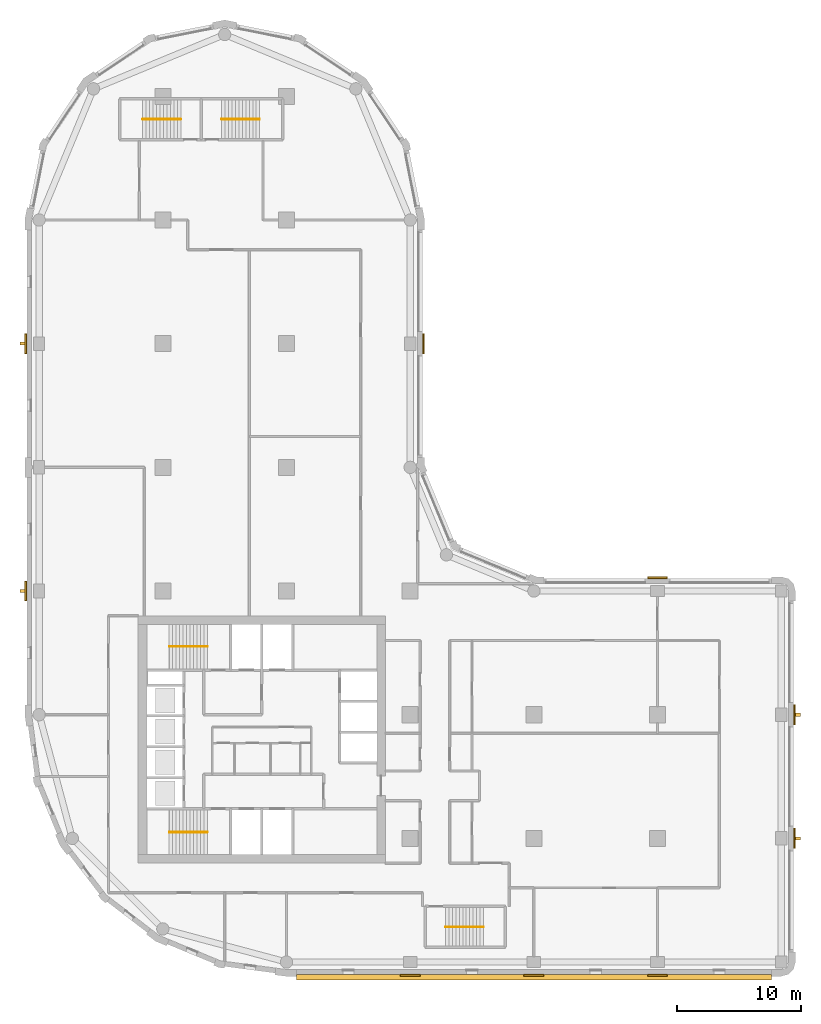
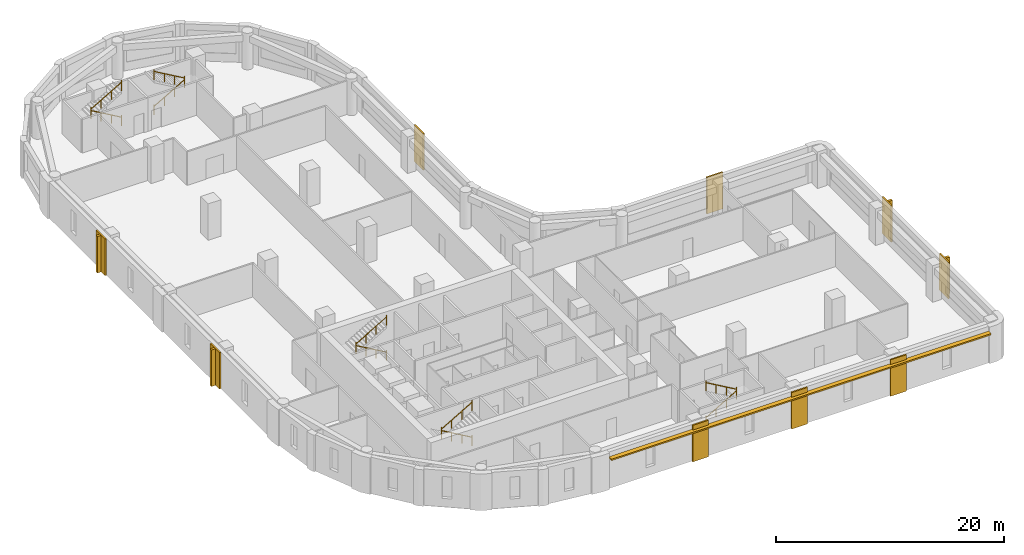
# One storey, part 8 of 9: 10 railings, 9 coverings, 5 shading devices.
"""IFC4 building model written with IfcOpenShell, lengths in metres."""

from ifc_helpers import new_model, si_unit, direction, frame, origin, origin_2d, place, context, subcontext, project, spatial, polyline, rectangle, circle, outline, extrude, material, layer, layer_set, type_object, element, save


model = new_model("IFC4")

# Units and contexts
model_context = context("Model", 3, precision=1e-05, world=origin(), true_north=direction((0.0, 1.0)))
body_context = subcontext(model_context, "Body", "Model", "MODEL_VIEW")
ifc_project = project(units=[si_unit("LENGTHUNIT", "METRE"), si_unit("AREAUNIT", "SQUARE_METRE"), si_unit("VOLUMEUNIT", "CUBIC_METRE"), si_unit("PLANEANGLEUNIT", "RADIAN"), si_unit("MASSUNIT", "GRAM", prefix="KILO")], contexts=[model_context])

# Site, building, storey
site_placement = place(None, origin())
site = spatial("IfcSite", under=ifc_project, at=site_placement, CompositionType="ELEMENT")
building_placement = place(site_placement, origin())
building = spatial("IfcBuilding", under=site, at=building_placement, Name="Qaws Garden Tower", CompositionType="ELEMENT")
storey_placement = place(building_placement, frame((0.0, 0.0, 166.800048828125)))
storey = spatial("IfcBuildingStorey", under=building, at=storey_placement, Name="L40", CompositionType="ELEMENT", Elevation=166.800048828125)

# Shading devices
ifc_material_1 = material(Name="Clay facing brick masonry", Category="masonry")
ifc_layer_1 = layer(ifc_material_1, 0.14990234375)
ifc_layer_set_1 = layer_set([ifc_layer_1], Name="Clay facing brick masonry")
shading_device_type_1 = type_object("IfcShadingDeviceType", Name="Brick sunshade band 450 x 150", PredefinedType="JALOUSIE", material=ifc_layer_set_1)
shading_device_placement = place(storey_placement, frame((0.0, 0.0, 3.25)))
element("IfcShadingDevice", 1, at=shading_device_placement, inside=storey, type_object=shading_device_type_1, Name="SUNSHADE 00", PredefinedType="JALOUSIE", context=body_context, shape_type="SweptSolid", body=[
    extrude(outline(polyline([(20.800048828125, -1.0), (20.800048828125, -1.449951171875), (59.199951171875, -1.449951171875), (59.199951171875, -1.0), (50.800048828125, -1.0), (50.800048828125, -1.14990234375), (49.199951171875, -1.14990234375), (49.199951171875, -1.0), (40.800048828125, -1.0), (40.800048828125, -1.14990234375), (39.199951171875, -1.14990234375), (39.199951171875, -1.0), (30.800048828125, -1.0), (30.800048828125, -1.14990234375), (29.199951171875, -1.14990234375), (29.199951171875, -1.0), (20.800048828125, -1.0)])), origin(), (0.0, 0.0, 1.0), 0.14990234375),
])
ifc_material_2 = material(Name="Clay facing brick masonry", Category="masonry")
ifc_layer_2 = layer(ifc_material_2, 0.25)
ifc_layer_set_2 = layer_set([ifc_layer_2], Name="Clay facing brick masonry")
shading_device_type_2 = type_object("IfcShadingDeviceType", Name="Brick-faced fin 250 x 400", PredefinedType="USERDEFINED", material=ifc_layer_set_2)
for number, where, z_axis, x_axis, name in (
    (2, (61.35009765625, 10.0, 0.0), (0.0, 0.0, 1.0), (0.0, 1.0, 0.0), "FIN 05"),
    (3, (61.35009765625, 20.0, 0.0), (0.0, 0.0, 1.0), (0.0, 1.0, 0.0), "FIN 06"),
    (4, (-1.35009765625, 50.0, 0.0), (0.0, 0.0, 1.0), (0.0, -1.0, 0.0), "FIN 22"),
    (5, (-1.35009765625, 30.0, 0.0), (0.0, 0.0, 1.0), (0.0, -1.0, 0.0), "FIN 24"),
):
    element("IfcShadingDevice", number, at=place(storey_placement, frame(where, z_axis=z_axis, x_axis=x_axis)), inside=storey, type_object=shading_device_type_2, Name=name, ObjectType="FIN", PredefinedType="USERDEFINED", context=body_context, shape_type="SweptSolid", body=[
        extrude(rectangle(XDim=0.25, YDim=0.39990234375, at=origin_2d()), origin(), (0.0, 0.0, 1.0), 3.89990234375),
    ])

# Coverings
ifc_material_3 = material(Name="Buff clay facing brick masonry", Category="masonry")
ifc_layer_3 = layer(ifc_material_3, 0.14990234375)
ifc_layer_set_3 = layer_set([ifc_layer_3], Name="Buff clay facing brick masonry")
covering_type = type_object("IfcCoveringType", Name="Buff brick pilaster facing 150 x 1600", PredefinedType="CLADDING", material=ifc_layer_set_3)
placement = place(storey_placement, origin())
element("IfcCovering", 6, at=placement, inside=storey, type_object=covering_type, Name="E-L40-pier-01", PredefinedType="CLADDING", context=body_context, shape_type="SweptSolid", body=[
    extrude(outline(polyline([(29.199951171875, -1.0), (30.800048828125, -1.0), (30.800048828125, -1.14990234375), (29.199951171875, -1.14990234375), (29.199951171875, -1.0)])), origin(), (0.0, 0.0, 1.0), 3.89990234375),
])
element("IfcCovering", 7, at=placement, inside=storey, type_object=covering_type, Name="E-L40-pier-02", PredefinedType="CLADDING", context=body_context, shape_type="SweptSolid", body=[
    extrude(outline(polyline([(39.199951171875, -1.0), (40.800048828125, -1.0), (40.800048828125, -1.14990234375), (39.199951171875, -1.14990234375), (39.199951171875, -1.0)])), origin(), (0.0, 0.0, 1.0), 3.89990234375),
])
element("IfcCovering", 8, at=placement, inside=storey, type_object=covering_type, Name="E-L40-pier-03", PredefinedType="CLADDING", context=body_context, shape_type="SweptSolid", body=[
    extrude(outline(polyline([(49.199951171875, -1.0), (50.800048828125, -1.0), (50.800048828125, -1.14990234375), (49.199951171875, -1.14990234375), (49.199951171875, -1.0)])), origin(), (0.0, 0.0, 1.0), 3.89990234375),
])
element("IfcCovering", 9, at=placement, inside=storey, type_object=covering_type, Name="E-L40-pier-05", PredefinedType="CLADDING", context=body_context, shape_type="SweptSolid", body=[
    extrude(outline(polyline([(61.0, 9.199951171875), (61.0, 10.800048828125), (61.14990234375, 10.800048828125), (61.14990234375, 9.199951171875), (61.0, 9.199951171875)])), origin(), (0.0, 0.0, 1.0), 3.89990234375),
])
element("IfcCovering", 10, at=placement, inside=storey, type_object=covering_type, Name="E-L40-pier-06", PredefinedType="CLADDING", context=body_context, shape_type="SweptSolid", body=[
    extrude(outline(polyline([(61.0, 19.199951171875), (61.0, 20.800048828125), (61.14990234375, 20.800048828125), (61.14990234375, 19.199951171875), (61.0, 19.199951171875)])), origin(), (0.0, 0.0, 1.0), 3.89990234375),
])
element("IfcCovering", 11, at=placement, inside=storey, type_object=covering_type, Name="E-L40-pier-08", PredefinedType="CLADDING", context=body_context, shape_type="SweptSolid", body=[
    extrude(outline(polyline([(50.800048828125, 31.0), (49.199951171875, 31.0), (49.199951171875, 31.14990234375), (50.800048828125, 31.14990234375), (50.800048828125, 31.0)])), origin(), (0.0, 0.0, 1.0), 3.89990234375),
])
element("IfcCovering", 12, at=placement, inside=storey, type_object=covering_type, Name="E-L40-pier-12", PredefinedType="CLADDING", context=body_context, shape_type="SweptSolid", body=[
    extrude(outline(polyline([(31.0, 49.199951171875), (31.0, 50.800048828125), (31.14990234375, 50.800048828125), (31.14990234375, 49.199951171875), (31.0, 49.199951171875)])), origin(), (0.0, 0.0, 1.0), 3.89990234375),
])
element("IfcCovering", 13, at=placement, inside=storey, type_object=covering_type, Name="E-L40-pier-22", PredefinedType="CLADDING", context=body_context, shape_type="SweptSolid", body=[
    extrude(outline(polyline([(-1.0, 50.800048828125), (-1.0, 49.199951171875), (-1.14990234375, 49.199951171875), (-1.14990234375, 50.800048828125), (-1.0, 50.800048828125)])), origin(), (0.0, 0.0, 1.0), 3.89990234375),
])
element("IfcCovering", 14, at=placement, inside=storey, type_object=covering_type, Name="E-L40-pier-24", PredefinedType="CLADDING", context=body_context, shape_type="SweptSolid", body=[
    extrude(outline(polyline([(-1.0, 30.800048828125), (-1.0, 29.199951171875), (-1.14990234375, 29.199951171875), (-1.14990234375, 30.800048828125), (-1.0, 30.800048828125)])), origin(), (0.0, 0.0, 1.0), 3.89990234375),
])

# Railings
ifc_material_4 = material(Name="Steel S355", Category="steel")
railing_type = type_object("IfcRailingType", Name="Stair handrail 900", PredefinedType="HANDRAIL", material=ifc_material_4)
railing_1_placement = place(storey_placement, frame((13.60009765625, 10.5, 0.162353515625)))
element("IfcRailing", 15, at=railing_1_placement, inside=storey, type_object=railing_type, Name="Stair 1 handrail", PredefinedType="HANDRAIL", context=body_context, shape_type="SweptSolid", body=[
    extrude(circle(Radius=0.02392578125, at=origin_2d()), frame((0.0, 0.0, 0.8759765625), z_axis=(-0.864890721111, 0.0, 0.501960198159), x_axis=(0.0, -1.0, 0.0)), (0.0, 0.0, 1.0), 3.561279296875),
    extrude(circle(Radius=0.02099609375, at=origin_2d()), origin(), (0.0, 0.0, 1.0), 1.06201171875),
    extrude(circle(Radius=0.02099609375, at=origin_2d()), frame((-1.026611328125, 0.0, 0.595947265625)), (0.0, 0.0, 1.0), 0.851806640625),
    extrude(circle(Radius=0.02099609375, at=origin_2d()), frame((-2.053466796875, 0.0, 1.191650390625)), (0.0, 0.0, 1.0), 0.851806640625),
    extrude(circle(Radius=0.02099609375, at=origin_2d()), frame((-3.080078125, 0.0, 1.78759765625)), (0.0, 0.0, 1.0), 1.06201171875),
])
railing_2_placement = place(storey_placement, frame((10.52001953125, 10.5, 2.112548828125)))
element("IfcRailing", 16, at=railing_2_placement, inside=storey, type_object=railing_type, Name="Stair 1 handrail", PredefinedType="HANDRAIL", context=body_context, shape_type="SweptSolid", body=[
    extrude(circle(Radius=0.02392578125, at=origin_2d()), frame((0.0, 0.0, 0.8759765625), z_axis=(0.864920483161, 0.0, 0.501908913857), x_axis=(0.0, 1.0, 0.0)), (0.0, 0.0, 1.0), 3.56103515625),
    extrude(circle(Radius=0.02099609375, at=origin_2d()), origin(), (0.0, 0.0, 1.0), 1.06201171875),
    extrude(circle(Radius=0.02099609375, at=origin_2d()), frame((1.026611328125, 0.0, 0.595703125)), (0.0, 0.0, 1.0), 0.851806640625),
    extrude(circle(Radius=0.02099609375, at=origin_2d()), frame((2.053466796875, 0.0, 1.191650390625)), (0.0, 0.0, 1.0), 0.851806640625),
    extrude(circle(Radius=0.02099609375, at=origin_2d()), frame((3.080078125, 0.0, 1.787353515625)), (0.0, 0.0, 1.0), 1.06201171875),
])
railing_3_placement = place(storey_placement, frame((13.60009765625, 25.5, 0.162353515625)))
element("IfcRailing", 17, at=railing_3_placement, inside=storey, type_object=railing_type, Name="Stair 4 handrail", PredefinedType="HANDRAIL", context=body_context, shape_type="SweptSolid", body=[
    extrude(circle(Radius=0.02392578125, at=origin_2d()), frame((0.0, 0.0, 0.8759765625), z_axis=(-0.864890721111, 0.0, 0.501960198159), x_axis=(0.0, -1.0, 0.0)), (0.0, 0.0, 1.0), 3.561279296875),
    extrude(circle(Radius=0.02099609375, at=origin_2d()), origin(), (0.0, 0.0, 1.0), 1.06201171875),
    extrude(circle(Radius=0.02099609375, at=origin_2d()), frame((-1.026611328125, 0.0, 0.595947265625)), (0.0, 0.0, 1.0), 0.851806640625),
    extrude(circle(Radius=0.02099609375, at=origin_2d()), frame((-2.053466796875, 0.0, 1.191650390625)), (0.0, 0.0, 1.0), 0.851806640625),
    extrude(circle(Radius=0.02099609375, at=origin_2d()), frame((-3.080078125, 0.0, 1.78759765625)), (0.0, 0.0, 1.0), 1.06201171875),
])
railing_4_placement = place(storey_placement, frame((10.52001953125, 25.5, 2.112548828125)))
element("IfcRailing", 18, at=railing_4_placement, inside=storey, type_object=railing_type, Name="Stair 4 handrail", PredefinedType="HANDRAIL", context=body_context, shape_type="SweptSolid", body=[
    extrude(circle(Radius=0.02392578125, at=origin_2d()), frame((0.0, 0.0, 0.8759765625), z_axis=(0.864920483161, 0.0, 0.501908913857), x_axis=(0.0, 1.0, 0.0)), (0.0, 0.0, 1.0), 3.56103515625),
    extrude(circle(Radius=0.02099609375, at=origin_2d()), origin(), (0.0, 0.0, 1.0), 1.06201171875),
    extrude(circle(Radius=0.02099609375, at=origin_2d()), frame((1.026611328125, 0.0, 0.595703125)), (0.0, 0.0, 1.0), 0.851806640625),
    extrude(circle(Radius=0.02099609375, at=origin_2d()), frame((2.053466796875, 0.0, 1.191650390625)), (0.0, 0.0, 1.0), 0.851806640625),
    extrude(circle(Radius=0.02099609375, at=origin_2d()), frame((3.080078125, 0.0, 1.787353515625)), (0.0, 0.0, 1.0), 1.06201171875),
])
railing_5_placement = place(storey_placement, frame((32.85009765625, 2.85009765625, 0.162353515625)))
element("IfcRailing", 19, at=railing_5_placement, inside=storey, type_object=railing_type, Name="Stair 5 handrail", PredefinedType="HANDRAIL", context=body_context, shape_type="SweptSolid", body=[
    extrude(circle(Radius=0.02392578125, at=origin_2d()), frame((0.0, 0.0, 0.8759765625), z_axis=(0.864873446163, 0.0, 0.501989962173), x_axis=(0.0, 1.0, 0.0)), (0.0, 0.0, 1.0), 3.56103515625),
    extrude(circle(Radius=0.02099609375, at=origin_2d()), origin(), (0.0, 0.0, 1.0), 1.06201171875),
    extrude(circle(Radius=0.02099609375, at=origin_2d()), frame((1.026611328125, 0.0, 0.595947265625)), (0.0, 0.0, 1.0), 0.851806640625),
    extrude(circle(Radius=0.02099609375, at=origin_2d()), frame((2.05322265625, 0.0, 1.191650390625)), (0.0, 0.0, 1.0), 0.851806640625),
    extrude(circle(Radius=0.02099609375, at=origin_2d()), frame((3.079833984375, 0.0, 1.78759765625)), (0.0, 0.0, 1.0), 1.06201171875),
])
railing_6_placement = place(storey_placement, frame((35.929931640625, 2.85009765625, 2.112548828125)))
element("IfcRailing", 20, at=railing_6_placement, inside=storey, type_object=railing_type, Name="Stair 5 handrail", PredefinedType="HANDRAIL", context=body_context, shape_type="SweptSolid", body=[
    extrude(circle(Radius=0.02392578125, at=origin_2d()), frame((0.0, 0.0, 0.8759765625), z_axis=(-0.864903211148, 0.0, 0.501938676878), x_axis=(0.0, -1.0, 0.0)), (0.0, 0.0, 1.0), 3.560791015625),
    extrude(circle(Radius=0.02099609375, at=origin_2d()), origin(), (0.0, 0.0, 1.0), 1.06201171875),
    extrude(circle(Radius=0.02099609375, at=origin_2d()), frame((-1.026611328125, 0.0, 0.595703125)), (0.0, 0.0, 1.0), 0.851806640625),
    extrude(circle(Radius=0.02099609375, at=origin_2d()), frame((-2.05322265625, 0.0, 1.191650390625)), (0.0, 0.0, 1.0), 0.851806640625),
    extrude(circle(Radius=0.02099609375, at=origin_2d()), frame((-3.079833984375, 0.0, 1.787353515625)), (0.0, 0.0, 1.0), 1.06201171875),
])
railing_7_placement = place(storey_placement, frame((11.449951171875, 68.14990234375, 0.162353515625)))
element("IfcRailing", 21, at=railing_7_placement, inside=storey, type_object=railing_type, Name="Stair 6 handrail", PredefinedType="HANDRAIL", context=body_context, shape_type="SweptSolid", body=[
    extrude(circle(Radius=0.02392578125, at=origin_2d()), frame((0.0, 0.0, 0.8759765625), z_axis=(-0.864873446163, 0.0, 0.501989962173), x_axis=(0.0, -1.0, 0.0)), (0.0, 0.0, 1.0), 3.56103515625),
    extrude(circle(Radius=0.02099609375, at=origin_2d()), origin(), (0.0, 0.0, 1.0), 1.06201171875),
    extrude(circle(Radius=0.02099609375, at=origin_2d()), frame((-1.026611328125, 0.0, 0.595947265625)), (0.0, 0.0, 1.0), 0.851806640625),
    extrude(circle(Radius=0.02099609375, at=origin_2d()), frame((-2.05322265625, 0.0, 1.191650390625)), (0.0, 0.0, 1.0), 0.851806640625),
    extrude(circle(Radius=0.02099609375, at=origin_2d()), frame((-3.079833984375, 0.0, 1.78759765625)), (0.0, 0.0, 1.0), 1.06201171875),
])
railing_8_placement = place(storey_placement, frame((8.3701171875, 68.14990234375, 2.112548828125)))
element("IfcRailing", 22, at=railing_8_placement, inside=storey, type_object=railing_type, Name="Stair 6 handrail", PredefinedType="HANDRAIL", context=body_context, shape_type="SweptSolid", body=[
    extrude(circle(Radius=0.02392578125, at=origin_2d()), frame((0.0, 0.0, 0.8759765625), z_axis=(0.864903211148, 0.0, 0.501938676878), x_axis=(0.0, 1.0, 0.0)), (0.0, 0.0, 1.0), 3.560791015625),
    extrude(circle(Radius=0.02099609375, at=origin_2d()), origin(), (0.0, 0.0, 1.0), 1.06201171875),
    extrude(circle(Radius=0.02099609375, at=origin_2d()), frame((1.026611328125, 0.0, 0.595703125)), (0.0, 0.0, 1.0), 0.851806640625),
    extrude(circle(Radius=0.02099609375, at=origin_2d()), frame((2.05322265625, 0.0, 1.191650390625)), (0.0, 0.0, 1.0), 0.851806640625),
    extrude(circle(Radius=0.02099609375, at=origin_2d()), frame((3.079833984375, 0.0, 1.787353515625)), (0.0, 0.0, 1.0), 1.06201171875),
])
railing_9_placement = place(storey_placement, frame((14.75, 68.14990234375, 0.162353515625)))
element("IfcRailing", 23, at=railing_9_placement, inside=storey, type_object=railing_type, Name="Stair 7 handrail", PredefinedType="HANDRAIL", context=body_context, shape_type="SweptSolid", body=[
    extrude(circle(Radius=0.02392578125, at=origin_2d()), frame((0.0, 0.0, 0.8759765625), z_axis=(0.864890721111, 0.0, 0.501960198159), x_axis=(0.0, 1.0, 0.0)), (0.0, 0.0, 1.0), 3.561279296875),
    extrude(circle(Radius=0.02099609375, at=origin_2d()), origin(), (0.0, 0.0, 1.0), 1.06201171875),
    extrude(circle(Radius=0.02099609375, at=origin_2d()), frame((1.026611328125, 0.0, 0.595947265625)), (0.0, 0.0, 1.0), 0.851806640625),
    extrude(circle(Radius=0.02099609375, at=origin_2d()), frame((2.053466796875, 0.0, 1.191650390625)), (0.0, 0.0, 1.0), 0.851806640625),
    extrude(circle(Radius=0.02099609375, at=origin_2d()), frame((3.080078125, 0.0, 1.78759765625)), (0.0, 0.0, 1.0), 1.06201171875),
])
railing_10_placement = place(storey_placement, frame((17.830078125, 68.14990234375, 2.112548828125)))
element("IfcRailing", 24, at=railing_10_placement, inside=storey, type_object=railing_type, Name="Stair 7 handrail", PredefinedType="HANDRAIL", context=body_context, shape_type="SweptSolid", body=[
    extrude(circle(Radius=0.02392578125, at=origin_2d()), frame((0.0, 0.0, 0.8759765625), z_axis=(-0.864920483161, 0.0, 0.501908913857), x_axis=(0.0, -1.0, 0.0)), (0.0, 0.0, 1.0), 3.56103515625),
    extrude(circle(Radius=0.02099609375, at=origin_2d()), origin(), (0.0, 0.0, 1.0), 1.06201171875),
    extrude(circle(Radius=0.02099609375, at=origin_2d()), frame((-1.026611328125, 0.0, 0.595703125)), (0.0, 0.0, 1.0), 0.851806640625),
    extrude(circle(Radius=0.02099609375, at=origin_2d()), frame((-2.053466796875, 0.0, 1.191650390625)), (0.0, 0.0, 1.0), 0.851806640625),
    extrude(circle(Radius=0.02099609375, at=origin_2d()), frame((-3.080078125, 0.0, 1.787353515625)), (0.0, 0.0, 1.0), 1.06201171875),
])

save(model, "model.ifc")
